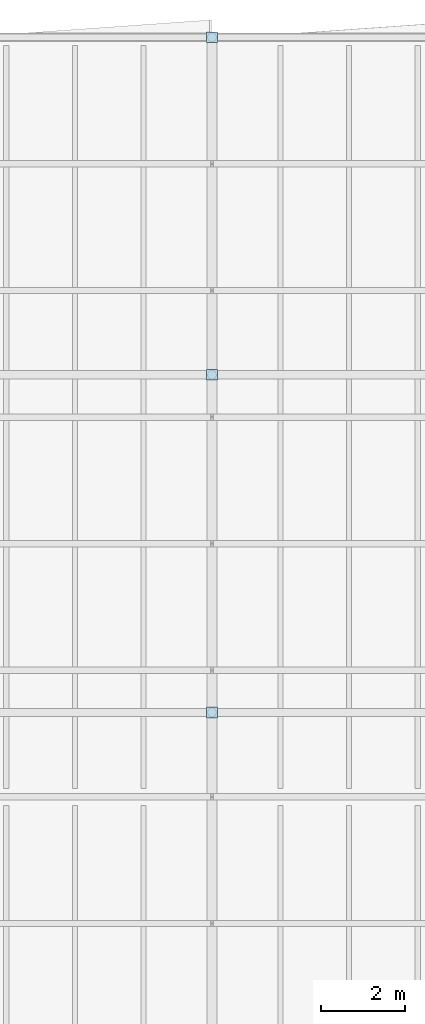
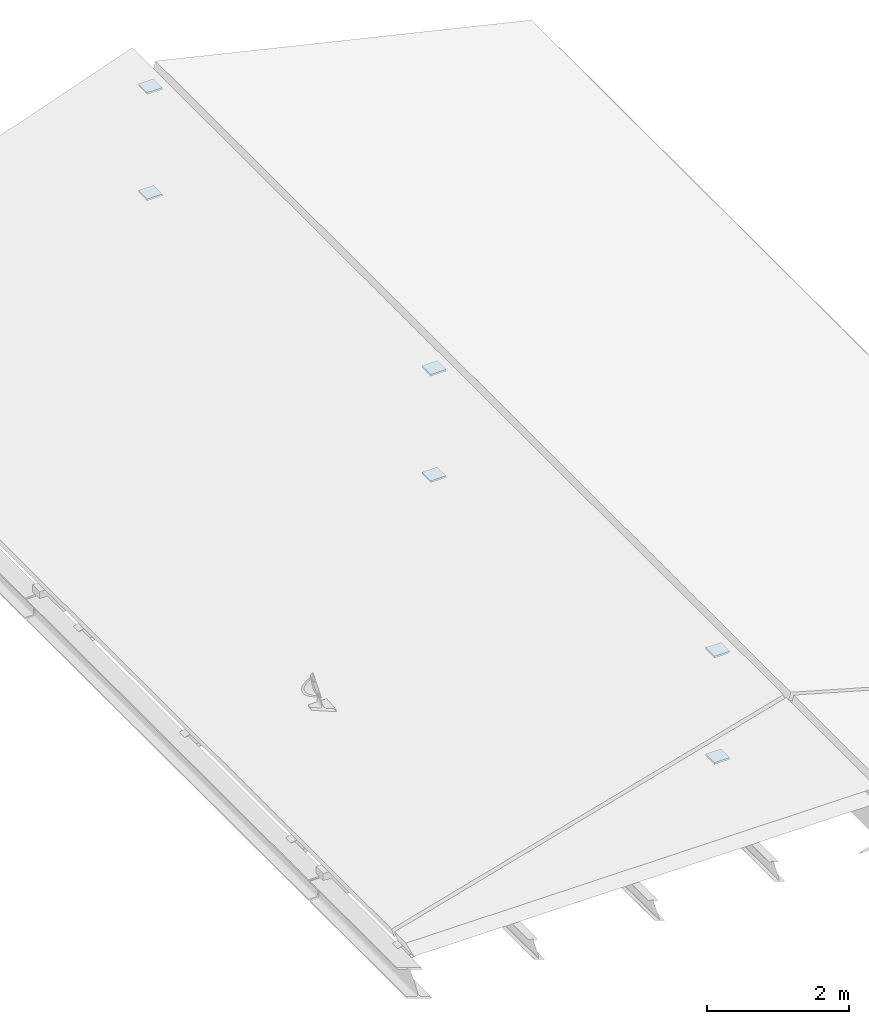
# One storey, part 88 of 90: 6 plates.
"""IFC4 building model written with IfcOpenShell, lengths in metres."""

from ifc_helpers import new_model, si_unit, direction, frame, origin, origin_2d, place, context, subcontext, project, spatial, rectangle, extrude, material, layer, layer_set, type_object, element, save


model = new_model("IFC4")

# Units and contexts
model_context = context("Model", 3, precision=1e-05, world=origin(), true_north=direction((0.0, 1.0)))
body_context = subcontext(model_context, "Body", "Model", "MODEL_VIEW")
ifc_project = project(units=[si_unit("LENGTHUNIT", "METRE"), si_unit("AREAUNIT", "SQUARE_METRE"), si_unit("VOLUMEUNIT", "CUBIC_METRE"), si_unit("PLANEANGLEUNIT", "RADIAN"), si_unit("MASSUNIT", "GRAM", prefix="KILO"), si_unit("THERMODYNAMICTEMPERATUREUNIT", "KELVIN"), si_unit("POWERUNIT", "WATT")], contexts=[model_context])

# Site, building, storey
site_placement = place(None, origin())
site = spatial("IfcSite", under=ifc_project, at=site_placement, CompositionType="ELEMENT")
building_placement = place(site_placement, origin())
building = spatial("IfcBuilding", under=site, at=building_placement, Name="Korenveer Ferry Terminal", CompositionType="ELEMENT")
storey_placement = place(building_placement, frame((0.0, 0.0, 22.199951171875)))
storey = spatial("IfcBuildingStorey", under=building, at=storey_placement, Name="RF", CompositionType="ELEMENT", Elevation=22.199951171875)

# Plates
ifc_material = material(Name="Steel S355", Category="steel")
ifc_layer = layer(ifc_material, 0.031982421875)
ifc_layer_set = layer_set([ifc_layer], Name="Steel S355")
plate_type = type_object("IfcPlateType", Name="STR-PLT-CAP32", PredefinedType="USERDEFINED", material=ifc_layer_set)
for number, where, z_axis, x_axis, name in (
    (1, (129.5, 100.0, -7.65185546875), (0.0, 0.0, 1.0), (1.0, 0.0, 0.0), "Hollow section end cap 520"),
    (2, (129.5, 100.0, -5.81982421875), (0.0, 0.0, 1.0), (1.0, 0.0, 0.0), "Hollow section end cap 521"),
    (3, (129.5, 108.0, -7.65185546875), (0.0, 0.0, 1.0), (1.0, 0.0, 0.0), "Hollow section end cap 522"),
    (4, (129.5, 108.0, -5.81982421875), (0.0, 0.0, 1.0), (1.0, 0.0, 0.0), "Hollow section end cap 523"),
    (5, (129.5, 116.0, -7.65185546875), (0.0, 0.0, 1.0), (1.0, 0.0, 0.0), "Hollow section end cap 524"),
    (6, (129.5, 116.0, -5.81982421875), (0.0, 0.0, 1.0), (1.0, 0.0, 0.0), "Hollow section end cap 525"),
):
    element("IfcPlate", number, at=place(storey_placement, frame(where, z_axis=z_axis, x_axis=x_axis)), inside=storey, type_object=plate_type, Name=name, ObjectType="END CAP PLATE", PredefinedType="USERDEFINED", context=body_context, shape_type="SweptSolid", body=[
        extrude(rectangle(XDim=0.2490234375, YDim=0.2490234375, at=origin_2d()), origin(), (0.0, 0.0, 1.0), 0.031982421875),
    ])

save(model, "model.ifc")
